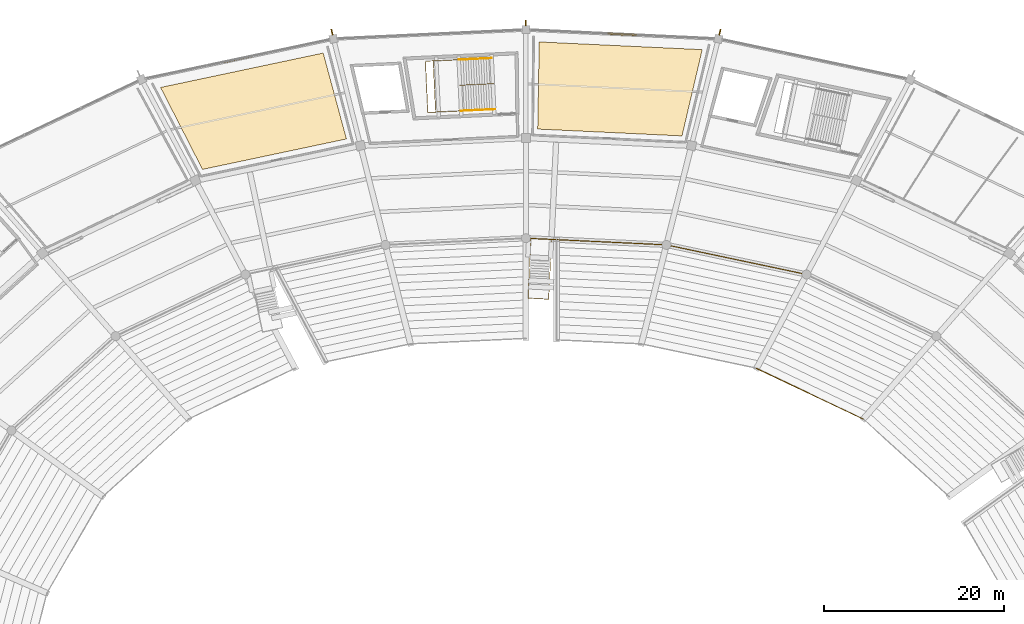
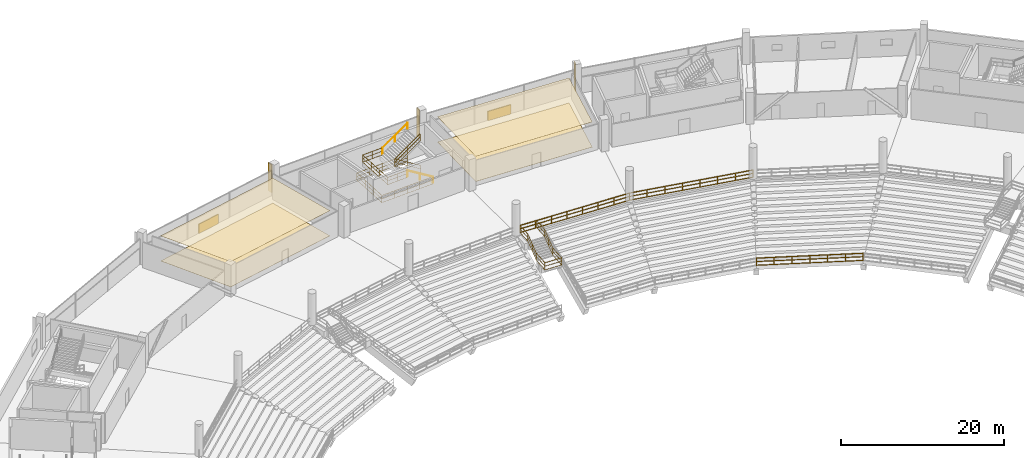
# One storey, part 154 of 156: 9 railings, 5 shading devices, 4 coverings.
"""IFC4 building model written with IfcOpenShell, lengths in metres."""

from ifc_helpers import new_model, si_unit, direction, frame, origin, origin_2d, place, context, subcontext, project, spatial, polyline, rectangle, outline, extrude, material, layer, layer_set, type_object, element, save


model = new_model("IFC4")

# Units and contexts
model_context = context("Model", 3, precision=1e-05, world=origin(), true_north=direction((0.0, 1.0)))
body_context = subcontext(model_context, "Body", "Model", "MODEL_VIEW")
ifc_project = project(units=[si_unit("LENGTHUNIT", "METRE"), si_unit("AREAUNIT", "SQUARE_METRE"), si_unit("VOLUMEUNIT", "CUBIC_METRE"), si_unit("PLANEANGLEUNIT", "RADIAN"), si_unit("MASSUNIT", "GRAM", prefix="KILO")], contexts=[model_context])

# Site, building, storey
site_placement = place(None, origin())
site = spatial("IfcSite", under=ifc_project, at=site_placement, CompositionType="ELEMENT")
building_placement = place(site_placement, origin())
building = spatial("IfcBuilding", under=site, at=building_placement, Name="Kazemori Nagisa Stadium", CompositionType="ELEMENT")
storey_placement = place(building_placement, frame((0.0, 0.0, 5.780029296875)))
storey = spatial("IfcBuildingStorey", under=building, at=storey_placement, Name="L01", CompositionType="ELEMENT", Elevation=5.780029296875)

# Coverings
ifc_material_1 = material(Name="Mineral-fibre acoustic board", Category="gypsum")
ifc_layer_1 = layer(ifc_material_1, 0.02001953125, Name="Mineral-fibre acoustic board", Category="gypsum")
ifc_layer_set_1 = layer_set([ifc_layer_1], Name="Mineral-fibre acoustic board")
covering_type_1 = type_object("IfcCoveringType", Name="Cov_CEIL", PredefinedType="CEILING", material=ifc_layer_set_1)
covering_1_placement = place(storey_placement, frame((0.0, 0.0, 3.77001953125)))
element("IfcCovering", 1, at=covering_1_placement, inside=storey, type_object=covering_type_1, Name="Acoustic ceiling L01-B07", PredefinedType="CEILING", context=body_context, shape_type="SweptSolid", body=[
    extrude(outline(polyline([(140.376953125, 176.17041015625), (124.307861328125, 176.93017578125), (124.4775390625, 186.64013671875), (142.62890625, 185.781982421875), (140.376953125, 176.17041015625)])), origin(), (0.0, 0.0, 1.0), 0.02001953125),
])
covering_2_placement = place(storey_placement, frame((0.0, 0.0, 3.77001953125)))
element("IfcCovering", 2, at=covering_2_placement, inside=storey, type_object=covering_type_1, Name="Acoustic ceiling L01-B09", PredefinedType="CEILING", context=body_context, shape_type="SweptSolid", body=[
    extrude(outline(polyline([(103.01025390625, 175.83251953125), (86.979248046875, 172.44091796875), (82.311279296875, 181.569091796875), (100.419677734375, 185.400146484375), (103.01025390625, 175.83251953125)])), origin(), (0.0, 0.0, 1.0), 0.02001953125),
])
ifc_material_2 = material(Name="Porcelain stoneware tile", Category="masonry")
ifc_layer_2 = layer(ifc_material_2, 0.02490234375, Name="Porcelain stoneware tile", Category="masonry")
ifc_layer_set_2 = layer_set([ifc_layer_2], Name="Porcelain stoneware tile")
covering_type_2 = type_object("IfcCoveringType", Name="Cov_FLOOR", PredefinedType="FLOORING", material=ifc_layer_set_2)
covering_3_placement = place(storey_placement, origin())
element("IfcCovering", 3, at=covering_3_placement, inside=storey, type_object=covering_type_2, Name="Porcelain floor finish L01-B07", PredefinedType="FLOORING", context=body_context, shape_type="SweptSolid", body=[
    extrude(outline(polyline([(140.376953125, 176.17041015625), (124.307861328125, 176.93017578125), (124.4775390625, 186.64013671875), (142.62890625, 185.781982421875), (140.376953125, 176.17041015625)])), origin(), (0.0, 0.0, 1.0), 0.02490234375),
])
covering_4_placement = place(storey_placement, origin())
element("IfcCovering", 4, at=covering_4_placement, inside=storey, type_object=covering_type_2, Name="Porcelain floor finish L01-B09", PredefinedType="FLOORING", context=body_context, shape_type="SweptSolid", body=[
    extrude(outline(polyline([(103.01025390625, 175.83251953125), (86.979248046875, 172.44091796875), (82.311279296875, 181.569091796875), (100.419677734375, 185.400146484375), (103.01025390625, 175.83251953125)])), origin(), (0.0, 0.0, 1.0), 0.02490234375),
])

# Shading devices
ifc_material_3 = material(Name="Aluminium 6063-T5 anodised", Category="aluminium")
shading_device_type_1 = type_object("IfcShadingDeviceType", Name="Fin_FN01", PredefinedType="USERDEFINED", material=ifc_material_3)
for number, where, z_axis, x_axis, name in (
    (5, (144.595703125, 187.722900390625, 0.0), (0.0, 0.0, 1.0), (0.222520933954, 0.974927912182, 0.0), "Aerodynamic wave shading fin L01-07"),
    (6, (123.0, 188.7548828125, 0.0), (0.0, 0.0, 1.0), (0.0, 1.0, 0.0), "Aerodynamic wave shading fin L01-08"),
    (7, (101.404296875, 187.722900390625, 0.0), (0.0, 0.0, 1.0), (-0.222520933954, 0.974927912182, 0.0), "Aerodynamic wave shading fin L01-09"),
):
    element("IfcShadingDevice", number, at=place(storey_placement, frame(where, z_axis=z_axis, x_axis=x_axis)), inside=storey, type_object=shading_device_type_1, Name=name, ObjectType="FIN", PredefinedType="USERDEFINED", context=body_context, shape_type="SweptSolid", body=[
        extrude(rectangle(XDim=0.64990234375, YDim=0.1201171875, at=origin_2d()), origin(), (0.0, 0.0, 1.0), 4.199951171875),
    ])
shading_device_type_2 = type_object("IfcShadingDeviceType", Name="Louvre_LV01", PredefinedType="JALOUSIE", material=ifc_material_3)
for number, where, z_axis, x_axis, name in (
    (8, (133.7138671875, 187.493408203125, -0.010009765625), (0.0, 0.0, 1.0), (-0.998884022476, 0.047230388971, 0.0), "Concourse ventilation louvre L01-B07"),
    (9, (90.8837890625, 184.7255859375, -0.010009765625), (0.0, 0.0, 1.0), (-0.978344955407, -0.206981033502, 0.0), "Concourse ventilation louvre L01-B09"),
):
    element("IfcShadingDevice", number, at=place(storey_placement, frame(where, z_axis=z_axis, x_axis=x_axis)), inside=storey, type_object=shading_device_type_2, Name=name, PredefinedType="JALOUSIE", context=body_context, shape_type="SweptSolid", body=[
        extrude(rectangle(XDim=3.199951171875, YDim=0.179931640625, at=origin_2d()), origin(), (0.0, 0.0, 1.0), 1.39990234375),
    ])

# Railings
ifc_material_4 = material(Name="Laminated safety glass and stainless steel SUS304", Category="steel")
railing_type_1 = type_object("IfcRailingType", Name="Rail_BAL", PredefinedType="BALUSTRADE", material=ifc_material_4)
railing_1_placement = place(storey_placement, frame((154.24755859375, 160.739013671875, 0.0)))
element("IfcRailing", 10, at=railing_1_placement, inside=storey, type_object=railing_type_1, Name="Concourse bowl balustrade L01-B06", PredefinedType="BALUSTRADE", context=body_context, shape_type="SweptSolid", body=[
    extrude(rectangle(XDim=0.050048828125, YDim=0.050048828125, at=origin_2d()), frame((0.0, 0.0, 1.09521484375), z_axis=(-0.978348272746, 0.206965352692, 0.0), x_axis=(-0.206965352692, -0.978348272746, 0.0)), (0.0, 0.0, 1.0), 15.950927734375),
    extrude(rectangle(XDim=0.03759765625, YDim=0.03759765625, at=origin_2d()), frame((0.0, 0.0, 0.58251953125), z_axis=(-0.978348272746, 0.206965352692, 0.0), x_axis=(-0.206965352692, -0.978348272746, 0.0)), (0.0, 0.0, 1.0), 15.950927734375),
    extrude(rectangle(XDim=0.03759765625, YDim=0.03759765625, at=origin_2d()), frame((0.0, 0.0, 0.02490234375), z_axis=(-0.978348272746, 0.206965352692, 0.0), x_axis=(-0.206965352692, -0.978348272746, 0.0)), (0.0, 0.0, 1.0), 15.950927734375),
    extrude(rectangle(XDim=0.044921875, YDim=0.044921875, at=origin_2d()), origin(), (0.0, 0.0, 1.0), 1.070068359375),
    extrude(rectangle(XDim=0.044921875, YDim=0.044921875, at=origin_2d()), frame((-2.229248046875, 0.4716796875, 0.0)), (0.0, 0.0, 1.0), 1.070068359375),
    extrude(rectangle(XDim=0.044921875, YDim=0.044921875, at=origin_2d()), frame((-4.458740234375, 0.943115234375, 0.0)), (0.0, 0.0, 1.0), 1.070068359375),
    extrude(rectangle(XDim=0.044921875, YDim=0.044921875, at=origin_2d()), frame((-6.68798828125, 1.414794921875, 0.0)), (0.0, 0.0, 1.0), 1.070068359375),
    extrude(rectangle(XDim=0.044921875, YDim=0.044921875, at=origin_2d()), frame((-8.91748046875, 1.886474609375, 0.0)), (0.0, 0.0, 1.0), 1.070068359375),
    extrude(rectangle(XDim=0.044921875, YDim=0.044921875, at=origin_2d()), frame((-11.146728515625, 2.358154296875, 0.0)), (0.0, 0.0, 1.0), 1.070068359375),
    extrude(rectangle(XDim=0.044921875, YDim=0.044921875, at=origin_2d()), frame((-13.376220703125, 2.82958984375, 0.0)), (0.0, 0.0, 1.0), 1.070068359375),
    extrude(rectangle(XDim=0.044921875, YDim=0.044921875, at=origin_2d()), frame((-15.60546875, 3.30126953125, 0.0)), (0.0, 0.0, 1.0), 1.070068359375),
])
railing_2_placement = place(storey_placement, frame((138.64208984375, 164.040283203125, 0.0)))
element("IfcRailing", 11, at=railing_2_placement, inside=storey, type_object=railing_type_1, Name="Concourse bowl balustrade L01-B07", PredefinedType="BALUSTRADE", context=body_context, shape_type="SweptSolid", body=[
    extrude(rectangle(XDim=0.050048828125, YDim=0.050048828125, at=origin_2d()), frame((0.0, 0.0, 1.09521484375), z_axis=(-0.998884056549, 0.047229668348, 0.0), x_axis=(-0.047229668348, -0.998884056549, 0.0)), (0.0, 0.0, 1.0), 15.109619140625),
    extrude(rectangle(XDim=0.03759765625, YDim=0.03759765625, at=origin_2d()), frame((0.0, 0.0, 0.58251953125), z_axis=(-0.998884056549, 0.047229668348, 0.0), x_axis=(-0.047229668348, -0.998884056549, 0.0)), (0.0, 0.0, 1.0), 15.109619140625),
    extrude(rectangle(XDim=0.03759765625, YDim=0.03759765625, at=origin_2d()), frame((0.0, 0.0, 0.02490234375), z_axis=(-0.998884056549, 0.047229668348, 0.0), x_axis=(-0.047229668348, -0.998884056549, 0.0)), (0.0, 0.0, 1.0), 15.109619140625),
    extrude(rectangle(XDim=0.044921875, YDim=0.044921875, at=origin_2d()), origin(), (0.0, 0.0, 1.0), 1.070068359375),
    extrude(rectangle(XDim=0.044921875, YDim=0.044921875, at=origin_2d()), frame((-2.156005859375, 0.10205078125, 0.0)), (0.0, 0.0, 1.0), 1.070068359375),
    extrude(rectangle(XDim=0.044921875, YDim=0.044921875, at=origin_2d()), frame((-4.312255859375, 0.203857421875, 0.0)), (0.0, 0.0, 1.0), 1.070068359375),
    extrude(rectangle(XDim=0.044921875, YDim=0.044921875, at=origin_2d()), frame((-6.46826171875, 0.305908203125, 0.0)), (0.0, 0.0, 1.0), 1.070068359375),
    extrude(rectangle(XDim=0.044921875, YDim=0.044921875, at=origin_2d()), frame((-8.62451171875, 0.40771484375, 0.0)), (0.0, 0.0, 1.0), 1.070068359375),
    extrude(rectangle(XDim=0.044921875, YDim=0.044921875, at=origin_2d()), frame((-10.780517578125, 0.509765625, 0.0)), (0.0, 0.0, 1.0), 1.070068359375),
    extrude(rectangle(XDim=0.044921875, YDim=0.044921875, at=origin_2d()), frame((-12.936767578125, 0.611572265625, 0.0)), (0.0, 0.0, 1.0), 1.070068359375),
    extrude(rectangle(XDim=0.044921875, YDim=0.044921875, at=origin_2d()), frame((-15.0927734375, 0.713623046875, 0.0)), (0.0, 0.0, 1.0), 1.070068359375),
])
ifc_material_5 = material(Name="Galvanised powder-coated steel", Category="steel")
railing_type_2 = type_object("IfcRailingType", Name="Rail_GUARD", PredefinedType="GUARDRAIL", material=ifc_material_5)
railing_3_placement = place(storey_placement, frame((119.452392578125, 179.138427734375, 0.0)))
element("IfcRailing", 12, at=railing_3_placement, inside=storey, type_object=railing_type_2, Name="Stair well perimeter guard ST05-L01", PredefinedType="GUARDRAIL", context=body_context, shape_type="SweptSolid", body=[
    extrude(rectangle(XDim=0.050048828125, YDim=0.050048828125, at=origin_2d()), frame((0.0, 0.0, 1.09521484375), z_axis=(-0.998885137924, -0.047206792244, 0.0), x_axis=(0.047206792244, -0.998885137924, 0.0)), (0.0, 0.0, 1.0), 7.380126953125),
    extrude(rectangle(XDim=0.03759765625, YDim=0.03759765625, at=origin_2d()), frame((0.0, 0.0, 0.58251953125), z_axis=(-0.998885137924, -0.047206792244, 0.0), x_axis=(0.047206792244, -0.998885137924, 0.0)), (0.0, 0.0, 1.0), 7.380126953125),
    extrude(rectangle(XDim=0.03759765625, YDim=0.03759765625, at=origin_2d()), frame((0.0, 0.0, 0.02490234375), z_axis=(-0.998885137924, -0.047206792244, 0.0), x_axis=(0.047206792244, -0.998885137924, 0.0)), (0.0, 0.0, 1.0), 7.380126953125),
    extrude(rectangle(XDim=0.050048828125, YDim=0.050048828125, at=origin_2d()), frame((-7.371826171875, -0.348388671875, 1.09521484375), z_axis=(-0.047200880317, 0.998885417301, 0.0), x_axis=(-0.998885417301, -0.047200880317, 0.0)), (0.0, 0.0, 1.0), 5.699951171875),
    extrude(rectangle(XDim=0.03759765625, YDim=0.03759765625, at=origin_2d()), frame((-7.371826171875, -0.348388671875, 0.58251953125), z_axis=(-0.047200880317, 0.998885417301, 0.0), x_axis=(-0.998885417301, -0.047200880317, 0.0)), (0.0, 0.0, 1.0), 5.699951171875),
    extrude(rectangle(XDim=0.03759765625, YDim=0.03759765625, at=origin_2d()), frame((-7.371826171875, -0.348388671875, 0.02490234375), z_axis=(-0.047200880317, 0.998885417301, 0.0), x_axis=(-0.998885417301, -0.047200880317, 0.0)), (0.0, 0.0, 1.0), 5.699951171875),
    extrude(rectangle(XDim=0.050048828125, YDim=0.050048828125, at=origin_2d()), frame((-7.640869140625, 5.34521484375, 1.09521484375), z_axis=(0.99888350364, 0.047241360641, 0.0), x_axis=(-0.047241360641, 0.99888350364, 0.0)), (0.0, 0.0, 1.0), 7.3798828125),
    extrude(rectangle(XDim=0.03759765625, YDim=0.03759765625, at=origin_2d()), frame((-7.640869140625, 5.34521484375, 0.58251953125), z_axis=(0.99888350364, 0.047241360641, 0.0), x_axis=(-0.047241360641, 0.99888350364, 0.0)), (0.0, 0.0, 1.0), 7.3798828125),
    extrude(rectangle(XDim=0.03759765625, YDim=0.03759765625, at=origin_2d()), frame((-7.640869140625, 5.34521484375, 0.02490234375), z_axis=(0.99888350364, 0.047241360641, 0.0), x_axis=(-0.047241360641, 0.99888350364, 0.0)), (0.0, 0.0, 1.0), 7.3798828125),
    extrude(rectangle(XDim=0.044921875, YDim=0.044921875, at=origin_2d()), origin(), (0.0, 0.0, 1.0), 1.070068359375),
    extrude(rectangle(XDim=0.044921875, YDim=0.044921875, at=origin_2d()), frame((-1.843017578125, -0.087158203125, 0.0)), (0.0, 0.0, 1.0), 1.070068359375),
    extrude(rectangle(XDim=0.044921875, YDim=0.044921875, at=origin_2d()), frame((-3.68603515625, -0.17431640625, 0.0)), (0.0, 0.0, 1.0), 1.070068359375),
    extrude(rectangle(XDim=0.044921875, YDim=0.044921875, at=origin_2d()), frame((-5.52880859375, -0.26123046875, 0.0)), (0.0, 0.0, 1.0), 1.070068359375),
    extrude(rectangle(XDim=0.044921875, YDim=0.044921875, at=origin_2d()), frame((-7.371826171875, -0.348388671875, 0.0)), (0.0, 0.0, 1.0), 1.070068359375),
    extrude(rectangle(XDim=0.044921875, YDim=0.044921875, at=origin_2d()), frame((-7.46142578125, 1.549560546875, 0.0)), (0.0, 0.0, 1.0), 1.070068359375),
    extrude(rectangle(XDim=0.044921875, YDim=0.044921875, at=origin_2d()), frame((-7.55126953125, 3.447265625, 0.0)), (0.0, 0.0, 1.0), 1.070068359375),
    extrude(rectangle(XDim=0.044921875, YDim=0.044921875, at=origin_2d()), frame((-7.640869140625, 5.34521484375, 0.0)), (0.0, 0.0, 1.0), 1.070068359375),
    extrude(rectangle(XDim=0.044921875, YDim=0.044921875, at=origin_2d()), frame((-5.7978515625, 5.432373046875, 0.0)), (0.0, 0.0, 1.0), 1.070068359375),
    extrude(rectangle(XDim=0.044921875, YDim=0.044921875, at=origin_2d()), frame((-3.955078125, 5.51953125, 0.0)), (0.0, 0.0, 1.0), 1.070068359375),
    extrude(rectangle(XDim=0.044921875, YDim=0.044921875, at=origin_2d()), frame((-2.1123046875, 5.606689453125, 0.0)), (0.0, 0.0, 1.0), 1.070068359375),
    extrude(rectangle(XDim=0.044921875, YDim=0.044921875, at=origin_2d()), frame((-0.269287109375, 5.69384765625, 0.0)), (0.0, 0.0, 1.0), 1.070068359375),
])
railing_4_placement = place(storey_placement, frame((119.397705078125, 181.9892578125, 0.0)))
element("IfcRailing", 13, at=railing_4_placement, inside=storey, type_object=railing_type_2, Name="Stair central guard ST05-L01", PredefinedType="GUARDRAIL", context=body_context, shape_type="SweptSolid", body=[
    extrude(rectangle(XDim=0.050048828125, YDim=0.050048828125, at=origin_2d()), frame((0.0, 0.0, 1.09521484375), z_axis=(-0.843695875415, -0.039924943138, 0.53533472587), x_axis=(0.04726859146, -0.998882215409, 0.0)), (0.0, 0.0, 1.0), 4.445556640625),
    extrude(rectangle(XDim=0.03759765625, YDim=0.03759765625, at=origin_2d()), frame((0.0, 0.0, 0.58251953125), z_axis=(-0.843695875415, -0.039924943138, 0.53533472587), x_axis=(0.04726859146, -0.998882215409, 0.0)), (0.0, 0.0, 1.0), 4.445556640625),
    extrude(rectangle(XDim=0.03759765625, YDim=0.03759765625, at=origin_2d()), frame((0.0, 0.0, 0.02490234375), z_axis=(-0.843695875415, -0.039924943138, 0.53533472587), x_axis=(0.04726859146, -0.998882215409, 0.0)), (0.0, 0.0, 1.0), 4.445556640625),
    extrude(rectangle(XDim=0.050048828125, YDim=0.050048828125, at=origin_2d()), frame((-3.750732421875, -0.177490234375, 3.47509765625), z_axis=(0.838405588611, 0.039645276237, 0.543603091472), x_axis=(-0.047233734206, 0.998883864297, 0.0)), (0.0, 0.0, 1.0), 4.37841796875),
    extrude(rectangle(XDim=0.03759765625, YDim=0.03759765625, at=origin_2d()), frame((-3.750732421875, -0.177490234375, 2.96240234375), z_axis=(0.838405588611, 0.039645276237, 0.543603091472), x_axis=(-0.047233734206, 0.998883864297, 0.0)), (0.0, 0.0, 1.0), 4.37841796875),
    extrude(rectangle(XDim=0.03759765625, YDim=0.03759765625, at=origin_2d()), frame((-3.750732421875, -0.177490234375, 2.40478515625), z_axis=(0.838405588611, 0.039645276237, 0.543603091472), x_axis=(-0.047233734206, 0.998883864297, 0.0)), (0.0, 0.0, 1.0), 4.37841796875),
    extrude(rectangle(XDim=0.044921875, YDim=0.044921875, at=origin_2d()), origin(), (0.0, 0.0, 1.0), 1.070068359375),
    extrude(rectangle(XDim=0.044921875, YDim=0.044921875, at=origin_2d()), frame((-1.87548828125, -0.0888671875, 1.18994140625)), (0.0, 0.0, 1.0), 1.070068359375),
    extrude(rectangle(XDim=0.044921875, YDim=0.044921875, at=origin_2d()), frame((-3.750732421875, -0.177490234375, 2.3798828125)), (0.0, 0.0, 1.0), 1.070068359375),
    extrude(rectangle(XDim=0.044921875, YDim=0.044921875, at=origin_2d()), frame((-1.915283203125, -0.0908203125, 3.56982421875)), (0.0, 0.0, 1.0), 1.070068359375),
    extrude(rectangle(XDim=0.044921875, YDim=0.044921875, at=origin_2d()), frame((-0.079833984375, -0.00390625, 4.760009765625)), (0.0, 0.0, 1.0), 1.070068359375),
])
railing_5_placement = place(storey_placement, frame((115.781494140625, 178.965087890625, 2.3798828125)))
element("IfcRailing", 14, at=railing_5_placement, inside=storey, type_object=railing_type_2, Name="Stair landing guard ST05-L01", PredefinedType="GUARDRAIL", context=body_context, shape_type="SweptSolid", body=[
    extrude(rectangle(XDim=0.050048828125, YDim=0.050048828125, at=origin_2d()), frame((0.0, 0.0, 1.09521484375), z_axis=(-0.998881278972, -0.047288376157, 0.0), x_axis=(0.047288376157, -0.998881278972, 0.0)), (0.0, 0.0, 1.0), 2.849853515625),
    extrude(rectangle(XDim=0.03759765625, YDim=0.03759765625, at=origin_2d()), frame((0.0, 0.0, 0.58251953125), z_axis=(-0.998881278972, -0.047288376157, 0.0), x_axis=(0.047288376157, -0.998881278972, 0.0)), (0.0, 0.0, 1.0), 2.849853515625),
    extrude(rectangle(XDim=0.03759765625, YDim=0.03759765625, at=origin_2d()), frame((0.0, 0.0, 0.02490234375), z_axis=(-0.998881278972, -0.047288376157, 0.0), x_axis=(0.047288376157, -0.998881278972, 0.0)), (0.0, 0.0, 1.0), 2.849853515625),
    extrude(rectangle(XDim=0.050048828125, YDim=0.050048828125, at=origin_2d()), frame((-2.8466796875, -0.134765625, 1.09521484375), z_axis=(-0.047243616775, 0.998883396936, 0.0), x_axis=(-0.998883396936, -0.047243616775, 0.0)), (0.0, 0.0, 1.0), 5.699951171875),
    extrude(rectangle(XDim=0.03759765625, YDim=0.03759765625, at=origin_2d()), frame((-2.8466796875, -0.134765625, 0.58251953125), z_axis=(-0.047243616775, 0.998883396936, 0.0), x_axis=(-0.998883396936, -0.047243616775, 0.0)), (0.0, 0.0, 1.0), 5.699951171875),
    extrude(rectangle(XDim=0.03759765625, YDim=0.03759765625, at=origin_2d()), frame((-2.8466796875, -0.134765625, 0.02490234375), z_axis=(-0.047243616775, 0.998883396936, 0.0), x_axis=(-0.998883396936, -0.047243616775, 0.0)), (0.0, 0.0, 1.0), 5.699951171875),
    extrude(rectangle(XDim=0.050048828125, YDim=0.050048828125, at=origin_2d()), frame((-3.115966796875, 5.558837890625, 1.09521484375), z_axis=(0.998881278972, 0.047288376157, 0.0), x_axis=(-0.047288376157, 0.998881278972, 0.0)), (0.0, 0.0, 1.0), 2.849853515625),
    extrude(rectangle(XDim=0.03759765625, YDim=0.03759765625, at=origin_2d()), frame((-3.115966796875, 5.558837890625, 0.58251953125), z_axis=(0.998881278972, 0.047288376157, 0.0), x_axis=(-0.047288376157, 0.998881278972, 0.0)), (0.0, 0.0, 1.0), 2.849853515625),
    extrude(rectangle(XDim=0.03759765625, YDim=0.03759765625, at=origin_2d()), frame((-3.115966796875, 5.558837890625, 0.02490234375), z_axis=(0.998881278972, 0.047288376157, 0.0), x_axis=(-0.047288376157, 0.998881278972, 0.0)), (0.0, 0.0, 1.0), 2.849853515625),
    extrude(rectangle(XDim=0.044921875, YDim=0.044921875, at=origin_2d()), origin(), (0.0, 0.0, 1.0), 1.070068359375),
    extrude(rectangle(XDim=0.044921875, YDim=0.044921875, at=origin_2d()), frame((-1.42333984375, -0.0673828125, 0.0)), (0.0, 0.0, 1.0), 1.070068359375),
    extrude(rectangle(XDim=0.044921875, YDim=0.044921875, at=origin_2d()), frame((-2.8466796875, -0.134765625, 0.0)), (0.0, 0.0, 1.0), 1.070068359375),
    extrude(rectangle(XDim=0.044921875, YDim=0.044921875, at=origin_2d()), frame((-2.9365234375, 1.76318359375, 0.0)), (0.0, 0.0, 1.0), 1.070068359375),
    extrude(rectangle(XDim=0.044921875, YDim=0.044921875, at=origin_2d()), frame((-3.026123046875, 3.660888671875, 0.0)), (0.0, 0.0, 1.0), 1.070068359375),
    extrude(rectangle(XDim=0.044921875, YDim=0.044921875, at=origin_2d()), frame((-3.115966796875, 5.558837890625, 0.0)), (0.0, 0.0, 1.0), 1.070068359375),
    extrude(rectangle(XDim=0.044921875, YDim=0.044921875, at=origin_2d()), frame((-1.692626953125, 5.626220703125, 0.0)), (0.0, 0.0, 1.0), 1.070068359375),
    extrude(rectangle(XDim=0.044921875, YDim=0.044921875, at=origin_2d()), frame((-0.269287109375, 5.693603515625, 0.0)), (0.0, 0.0, 1.0), 1.070068359375),
])
railing_6_placement = place(storey_placement, frame((123.54931640625, 164.75390625, 0.0)))
element("IfcRailing", 15, at=railing_6_placement, inside=storey, type_object=railing_type_2, Name="Vomitory stair guard VL03", PredefinedType="GUARDRAIL", context=body_context, shape_type="SweptSolid", body=[
    extrude(rectangle(XDim=0.050048828125, YDim=0.050048828125, at=origin_2d()), frame((0.0, 0.0, 1.09521484375), z_axis=(-0.047200591825, -0.998885430934, 0.0), x_axis=(0.998885430934, -0.047200591825, 0.0)), (0.0, 0.0, 1.0), 2.10009765625),
    extrude(rectangle(XDim=0.03759765625, YDim=0.03759765625, at=origin_2d()), frame((0.0, 0.0, 0.58251953125), z_axis=(-0.047200591825, -0.998885430934, 0.0), x_axis=(0.998885430934, -0.047200591825, 0.0)), (0.0, 0.0, 1.0), 2.10009765625),
    extrude(rectangle(XDim=0.03759765625, YDim=0.03759765625, at=origin_2d()), frame((0.0, 0.0, 0.02490234375), z_axis=(-0.047200591825, -0.998885430934, 0.0), x_axis=(0.998885430934, -0.047200591825, 0.0)), (0.0, 0.0, 1.0), 2.10009765625),
    extrude(rectangle(XDim=0.050048828125, YDim=0.050048828125, at=origin_2d()), frame((-0.09912109375, -2.09765625, 1.09521484375), z_axis=(-0.039758344923, -0.841323137965, -0.539068318057), x_axis=(0.99888525824, -0.047204246316, 0.0)), (0.0, 0.0, 1.0), 2.671142578125),
    extrude(rectangle(XDim=0.03759765625, YDim=0.03759765625, at=origin_2d()), frame((-0.09912109375, -2.09765625, 0.58251953125), z_axis=(-0.039758344923, -0.841323137965, -0.539068318057), x_axis=(0.99888525824, -0.047204246316, 0.0)), (0.0, 0.0, 1.0), 2.671142578125),
    extrude(rectangle(XDim=0.03759765625, YDim=0.03759765625, at=origin_2d()), frame((-0.09912109375, -2.09765625, 0.02490234375), z_axis=(-0.039758344923, -0.841323137965, -0.539068318057), x_axis=(0.99888525824, -0.047204246316, 0.0)), (0.0, 0.0, 1.0), 2.671142578125),
    extrude(rectangle(XDim=0.050048828125, YDim=0.050048828125, at=origin_2d()), frame((-0.205322265625, -4.344970703125, -0.3447265625), z_axis=(-0.04725015869, -0.998883087505, 0.0), x_axis=(0.998883087505, -0.04725015869, 0.0)), (0.0, 0.0, 1.0), 2.320068359375),
    extrude(rectangle(XDim=0.03759765625, YDim=0.03759765625, at=origin_2d()), frame((-0.205322265625, -4.344970703125, -0.857421875), z_axis=(-0.04725015869, -0.998883087505, 0.0), x_axis=(0.998883087505, -0.04725015869, 0.0)), (0.0, 0.0, 1.0), 2.320068359375),
    extrude(rectangle(XDim=0.03759765625, YDim=0.03759765625, at=origin_2d()), frame((-0.205322265625, -4.344970703125, -1.4150390625), z_axis=(-0.04725015869, -0.998883087505, 0.0), x_axis=(0.998883087505, -0.04725015869, 0.0)), (0.0, 0.0, 1.0), 2.320068359375),
    extrude(rectangle(XDim=0.050048828125, YDim=0.050048828125, at=origin_2d()), frame((-0.31494140625, -6.662353515625, -0.3447265625), z_axis=(0.998883694415, -0.047237326675, 0.0), x_axis=(0.047237326675, 0.998883694415, 0.0)), (0.0, 0.0, 1.0), 2.300048828125),
    extrude(rectangle(XDim=0.03759765625, YDim=0.03759765625, at=origin_2d()), frame((-0.31494140625, -6.662353515625, -0.857421875), z_axis=(0.998883694415, -0.047237326675, 0.0), x_axis=(0.047237326675, 0.998883694415, 0.0)), (0.0, 0.0, 1.0), 2.300048828125),
    extrude(rectangle(XDim=0.03759765625, YDim=0.03759765625, at=origin_2d()), frame((-0.31494140625, -6.662353515625, -1.4150390625), z_axis=(0.998883694415, -0.047237326675, 0.0), x_axis=(0.047237326675, 0.998883694415, 0.0)), (0.0, 0.0, 1.0), 2.300048828125),
    extrude(rectangle(XDim=0.050048828125, YDim=0.050048828125, at=origin_2d()), frame((1.982421875, -6.77099609375, -0.3447265625), z_axis=(0.04725015869, 0.998883087505, 0.0), x_axis=(-0.998883087505, 0.04725015869, 0.0)), (0.0, 0.0, 1.0), 2.320068359375),
    extrude(rectangle(XDim=0.03759765625, YDim=0.03759765625, at=origin_2d()), frame((1.982421875, -6.77099609375, -0.857421875), z_axis=(0.04725015869, 0.998883087505, 0.0), x_axis=(-0.998883087505, 0.04725015869, 0.0)), (0.0, 0.0, 1.0), 2.320068359375),
    extrude(rectangle(XDim=0.03759765625, YDim=0.03759765625, at=origin_2d()), frame((1.982421875, -6.77099609375, -1.4150390625), z_axis=(0.04725015869, 0.998883087505, 0.0), x_axis=(-0.998883087505, 0.04725015869, 0.0)), (0.0, 0.0, 1.0), 2.320068359375),
    extrude(rectangle(XDim=0.050048828125, YDim=0.050048828125, at=origin_2d()), frame((2.092041015625, -4.45361328125, -0.3447265625), z_axis=(0.039755287865, 0.841349839275, 0.539026868569), x_axis=(-0.9988855, 0.047199130187, 0.0)), (0.0, 0.0, 1.0), 2.67138671875),
    extrude(rectangle(XDim=0.03759765625, YDim=0.03759765625, at=origin_2d()), frame((2.092041015625, -4.45361328125, -0.857421875), z_axis=(0.039755287865, 0.841349839275, 0.539026868569), x_axis=(-0.9988855, 0.047199130187, 0.0)), (0.0, 0.0, 1.0), 2.67138671875),
    extrude(rectangle(XDim=0.03759765625, YDim=0.03759765625, at=origin_2d()), frame((2.092041015625, -4.45361328125, -1.4150390625), z_axis=(0.039755287865, 0.841349839275, 0.539026868569), x_axis=(-0.9988855, 0.047199130187, 0.0)), (0.0, 0.0, 1.0), 2.67138671875),
    extrude(rectangle(XDim=0.050048828125, YDim=0.050048828125, at=origin_2d()), frame((2.1982421875, -2.2060546875, 1.09521484375), z_axis=(0.047316589475, 0.998879942916, 0.0), x_axis=(-0.998879942916, 0.047316589475, 0.0)), (0.0, 0.0, 1.0), 2.10009765625),
    extrude(rectangle(XDim=0.03759765625, YDim=0.03759765625, at=origin_2d()), frame((2.1982421875, -2.2060546875, 0.58251953125), z_axis=(0.047316589475, 0.998879942916, 0.0), x_axis=(-0.998879942916, 0.047316589475, 0.0)), (0.0, 0.0, 1.0), 2.10009765625),
    extrude(rectangle(XDim=0.03759765625, YDim=0.03759765625, at=origin_2d()), frame((2.1982421875, -2.2060546875, 0.02490234375), z_axis=(0.047316589475, 0.998879942916, 0.0), x_axis=(-0.998879942916, 0.047316589475, 0.0)), (0.0, 0.0, 1.0), 2.10009765625),
    extrude(rectangle(XDim=0.044921875, YDim=0.044921875, at=origin_2d()), origin(), (0.0, 0.0, 1.0), 1.070068359375),
    extrude(rectangle(XDim=0.044921875, YDim=0.044921875, at=origin_2d()), frame((-0.09912109375, -2.09765625, 0.0)), (0.0, 0.0, 1.0), 1.070068359375),
    extrude(rectangle(XDim=0.044921875, YDim=0.044921875, at=origin_2d()), frame((-0.15234375, -3.22119140625, -0.719970703125)), (0.0, 0.0, 1.0), 1.070068359375),
    extrude(rectangle(XDim=0.044921875, YDim=0.044921875, at=origin_2d()), frame((-0.205322265625, -4.344970703125, -1.43994140625)), (0.0, 0.0, 1.0), 1.070068359375),
    extrude(rectangle(XDim=0.044921875, YDim=0.044921875, at=origin_2d()), frame((-0.31494140625, -6.662353515625, -1.43994140625)), (0.0, 0.0, 1.0), 1.070068359375),
    extrude(rectangle(XDim=0.044921875, YDim=0.044921875, at=origin_2d()), frame((1.982421875, -6.77099609375, -1.43994140625)), (0.0, 0.0, 1.0), 1.070068359375),
    extrude(rectangle(XDim=0.044921875, YDim=0.044921875, at=origin_2d()), frame((2.092041015625, -4.45361328125, -1.43994140625)), (0.0, 0.0, 1.0), 1.070068359375),
    extrude(rectangle(XDim=0.044921875, YDim=0.044921875, at=origin_2d()), frame((2.14501953125, -3.329833984375, -0.719970703125)), (0.0, 0.0, 1.0), 1.070068359375),
    extrude(rectangle(XDim=0.044921875, YDim=0.044921875, at=origin_2d()), frame((2.1982421875, -2.2060546875, 0.0)), (0.0, 0.0, 1.0), 1.070068359375),
    extrude(rectangle(XDim=0.044921875, YDim=0.044921875, at=origin_2d()), frame((2.297607421875, -0.1083984375, 0.0)), (0.0, 0.0, 1.0), 1.070068359375),
])
railing_7_placement = place(storey_placement, frame((160.558837890625, 144.635498046875, -4.919921875)))
element("IfcRailing", 16, at=railing_7_placement, inside=storey, type_object=railing_type_2, Name="Lower tier pitch-side crowd barrier B05", PredefinedType="GUARDRAIL", context=body_context, shape_type="SweptSolid", body=[
    extrude(rectangle(XDim=0.050048828125, YDim=0.050048828125, at=origin_2d()), frame((0.0, 0.0, 1.09521484375), z_axis=(-0.903219207247, 0.429179523812, 0.0), x_axis=(-0.429179523812, -0.903219207247, 0.0)), (0.0, 0.0, 1.0), 13.1484375),
    extrude(rectangle(XDim=0.03759765625, YDim=0.03759765625, at=origin_2d()), frame((0.0, 0.0, 0.58251953125), z_axis=(-0.903219207247, 0.429179523812, 0.0), x_axis=(-0.429179523812, -0.903219207247, 0.0)), (0.0, 0.0, 1.0), 13.1484375),
    extrude(rectangle(XDim=0.03759765625, YDim=0.03759765625, at=origin_2d()), frame((0.0, 0.0, 0.02490234375), z_axis=(-0.903219207247, 0.429179523812, 0.0), x_axis=(-0.429179523812, -0.903219207247, 0.0)), (0.0, 0.0, 1.0), 13.1484375),
    extrude(rectangle(XDim=0.044921875, YDim=0.044921875, at=origin_2d()), origin(), (0.0, 0.0, 1.0), 1.070068359375),
    extrude(rectangle(XDim=0.044921875, YDim=0.044921875, at=origin_2d()), frame((-1.979248046875, 0.9404296875, 0.0)), (0.0, 0.0, 1.0), 1.070068359375),
    extrude(rectangle(XDim=0.044921875, YDim=0.044921875, at=origin_2d()), frame((-3.958740234375, 1.881103515625, 0.0)), (0.0, 0.0, 1.0), 1.070068359375),
    extrude(rectangle(XDim=0.044921875, YDim=0.044921875, at=origin_2d()), frame((-5.93798828125, 2.821533203125, 0.0)), (0.0, 0.0, 1.0), 1.070068359375),
    extrude(rectangle(XDim=0.044921875, YDim=0.044921875, at=origin_2d()), frame((-7.917236328125, 3.761962890625, 0.0)), (0.0, 0.0, 1.0), 1.070068359375),
    extrude(rectangle(XDim=0.044921875, YDim=0.044921875, at=origin_2d()), frame((-9.896728515625, 4.70263671875, 0.0)), (0.0, 0.0, 1.0), 1.070068359375),
    extrude(rectangle(XDim=0.044921875, YDim=0.044921875, at=origin_2d()), frame((-11.8759765625, 5.64306640625, 0.0)), (0.0, 0.0, 1.0), 1.070068359375),
])
ifc_material_6 = material(Name="Stainless steel SUS304", Category="steel")
railing_type_3 = type_object("IfcRailingType", Name="Rail_HAND", PredefinedType="HANDRAIL", material=ifc_material_6)
railing_8_placement = place(storey_placement, frame((119.5322265625, 179.142333984375, 0.169921875)))
element("IfcRailing", 17, at=railing_8_placement, inside=storey, type_object=railing_type_3, Name="Stair handrail ST05-L01-F1", PredefinedType="HANDRAIL", context=body_context, shape_type="SweptSolid", body=[
    extrude(rectangle(XDim=0.050048828125, YDim=0.050048828125, at=origin_2d()), frame((0.0, 0.0, 0.875), z_axis=(-0.843672919701, -0.039868940943, 0.535375076102), x_axis=(0.047203717739, -0.998885283219, 0.0)), (0.0, 0.0, 1.0), 4.44580078125),
    extrude(rectangle(XDim=0.044921875, YDim=0.044921875, at=origin_2d()), origin(), (0.0, 0.0, 1.0), 0.849853515625),
    extrude(rectangle(XDim=0.044921875, YDim=0.044921875, at=origin_2d()), frame((-1.87548828125, -0.088623046875, 1.18994140625)), (0.0, 0.0, 1.0), 0.849853515625),
    extrude(rectangle(XDim=0.044921875, YDim=0.044921875, at=origin_2d()), frame((-3.750732421875, -0.17724609375, 2.380126953125)), (0.0, 0.0, 1.0), 0.849853515625),
])
railing_9_placement = place(storey_placement, frame((115.51220703125, 184.65869140625, 2.550048828125)))
element("IfcRailing", 18, at=railing_9_placement, inside=storey, type_object=railing_type_3, Name="Stair handrail ST05-L01-F2", PredefinedType="HANDRAIL", context=body_context, shape_type="SweptSolid", body=[
    extrude(rectangle(XDim=0.050048828125, YDim=0.050048828125, at=origin_2d()), frame((0.0, 0.0, 0.875), z_axis=(0.83843100158, 0.039646477928, 0.54356380709), x_axis=(-0.047233734206, 0.998883864297, 0.0)), (0.0, 0.0, 1.0), 4.378173828125),
    extrude(rectangle(XDim=0.044921875, YDim=0.044921875, at=origin_2d()), origin(), (0.0, 0.0, 1.0), 0.849853515625),
    extrude(rectangle(XDim=0.044921875, YDim=0.044921875, at=origin_2d()), frame((1.83544921875, 0.0869140625, 1.18994140625)), (0.0, 0.0, 1.0), 0.849853515625),
    extrude(rectangle(XDim=0.044921875, YDim=0.044921875, at=origin_2d()), frame((3.6708984375, 0.173583984375, 2.3798828125)), (0.0, 0.0, 1.0), 0.849853515625),
])

save(model, "model.ifc")
